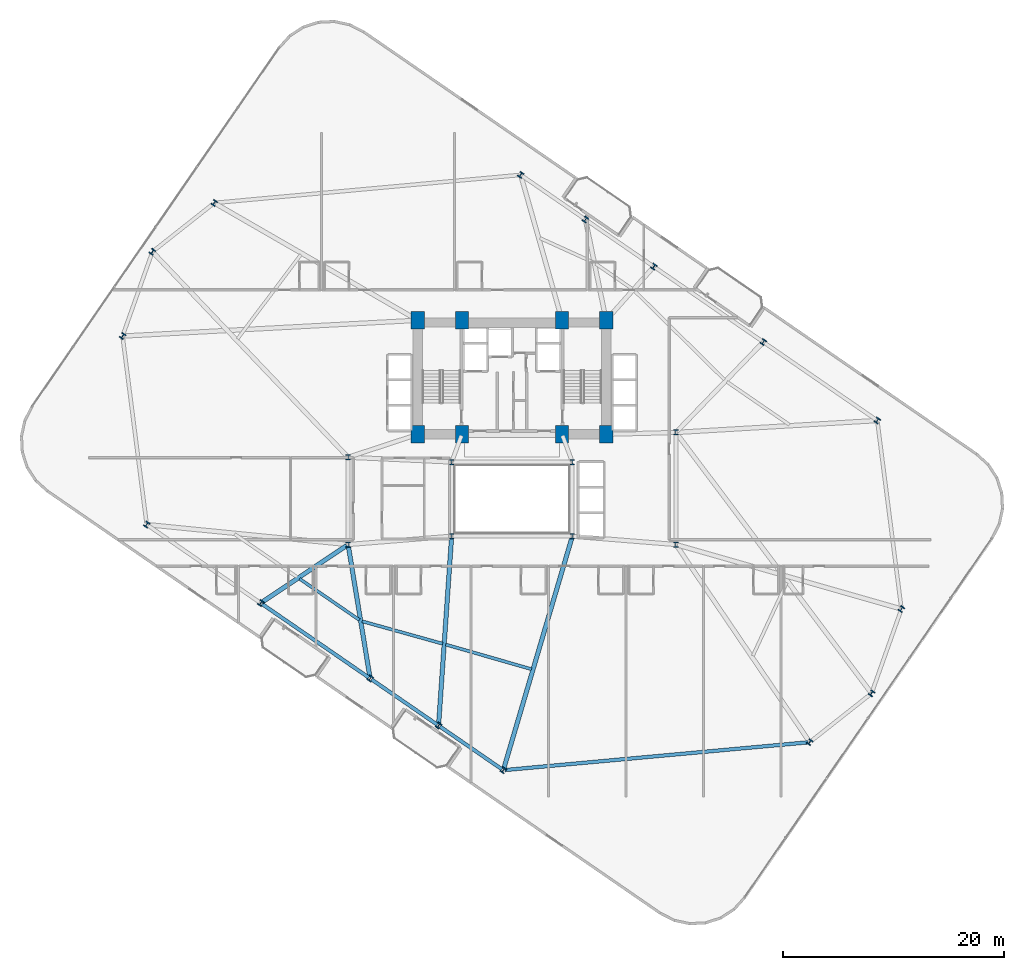
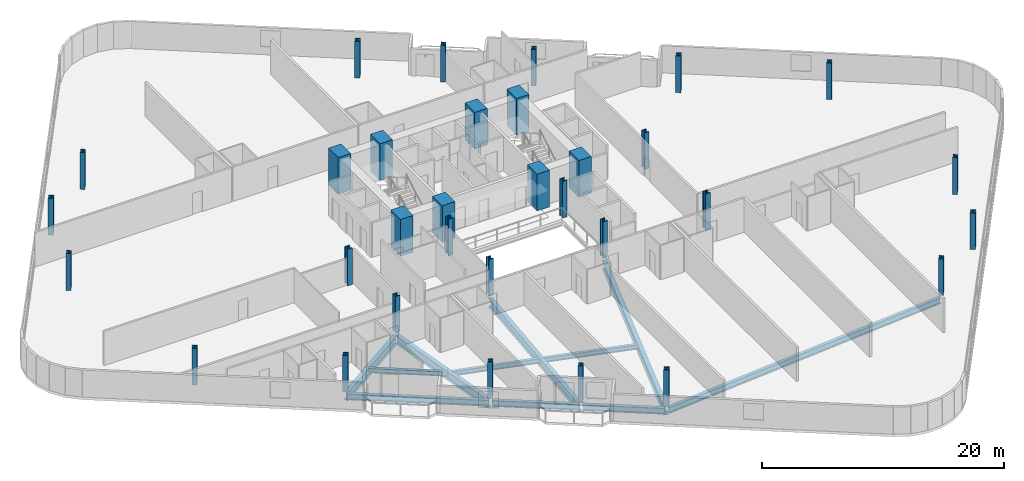
# One storey, part 1 of 25: 32 columns, 11 beams.
"""IFC4 building model written with IfcOpenShell, lengths in metres."""

import ifcopenshell
import ifcopenshell.guid

model = None  # the IFC model being written
_history = None  # IfcOwnerHistory: only IFC2X3 demands one
_inside = {}  # id of a spatial element -> (the spatial element, [elements in it])
_under = {}  # id of a project, library or spatial element -> (it, [spatial elements below it])
_declared = {}  # id of a project -> (the project, [libraries it declares])
_typed = {}  # id of a type object -> (the type object, [elements of that type])
_made_of = {}  # id of a material, layer set ... -> (it, [elements and type objects made of it])


def new_model(schema):
    """Start an empty IFC model of exactly this schema.

    Asked for "IFC4X3", IfcOpenShell would pick the latest addendum, in which some entities
    have other attributes; the version numbers below select the first issue.
    IFC2X3 requires an IfcOwnerHistory on every rooted entity: one is made here for all.
    """
    global model, _history
    if schema == "IFC4X3":
        model = ifcopenshell.file(schema_version=(4, 3, 0, 0))
    else:
        model = ifcopenshell.file(schema=schema)
    _inside.clear()
    _under.clear()
    _declared.clear()
    _typed.clear()
    _made_of.clear()
    _history = None
    if model.schema == "IFC2X3":
        org = make("IfcOrganization", Name="unknown")
        user = make(
            "IfcPersonAndOrganization",
            ThePerson=make("IfcPerson", FamilyName="unknown"),
            TheOrganization=org,
        )
        app = make(
            "IfcApplication",
            ApplicationDeveloper=org,
            Version="unknown",
            ApplicationFullName="unknown",
            ApplicationIdentifier="unknown",
        )
        _history = make(
            "IfcOwnerHistory",
            OwningUser=user,
            OwningApplication=app,
            ChangeAction="ADDED",
            CreationDate=0,
        )
    return model


def make(cls, **values):
    """One entity of the class cls with the attributes given. An attribute that is None is left unset."""
    return model.create_entity(
        cls, **{name: value for name, value in values.items() if value is not None}
    )


def rooted(cls, **values):
    """An entity with a GlobalId (a new one), such as an element, a storey or a relation."""
    return make(cls, GlobalId=ifcopenshell.guid.new(), OwnerHistory=_history, **values)


def si_unit(unit_type, name, prefix=None):
    """IfcSIUnit, for example si_unit("LENGTHUNIT", "METRE", prefix="MILLI")."""
    return make("IfcSIUnit", UnitType=unit_type, Prefix=prefix, Name=name)


def assignment(units):
    """IfcUnitAssignment: the units of a project."""
    return None if units is None else make("IfcUnitAssignment", Units=units)


def point(xyz):
    """IfcCartesianPoint."""
    return None if xyz is None else make("IfcCartesianPoint", Coordinates=xyz)


def direction(xyz):
    """IfcDirection."""
    return None if xyz is None else make("IfcDirection", DirectionRatios=xyz)


def frame(location, z_axis=None, x_axis=None):
    """IfcAxis2Placement3D, a coordinate frame: its origin and axes. An axis left out is left unset."""
    return make(
        "IfcAxis2Placement3D",
        Location=point(location),
        Axis=direction(z_axis),
        RefDirection=direction(x_axis),
    )


def frame_2d(location, x_axis=None):
    """IfcAxis2Placement2D, a coordinate frame in the plane: its origin and x axis."""
    return make(
        "IfcAxis2Placement2D", Location=point(location), RefDirection=direction(x_axis)
    )


def origin():
    """The frame at (0, 0, 0) with its axes left unset."""
    return frame((0.0, 0.0, 0.0))


def origin_2d():
    """The frame at (0, 0) in the plane with its x axis left unset."""
    return frame_2d((0.0, 0.0))


def place(relative_to, where):
    """IfcLocalPlacement: puts the frame where relative to a parent placement (None: the world)."""
    return make(
        "IfcLocalPlacement", PlacementRelTo=relative_to, RelativePlacement=where
    )


def context(
    kind, dimensions, precision=None, world=None, true_north=None, identifier=None
):
    """IfcGeometricRepresentationContext, for example the 3D "Model" context."""
    return make(
        "IfcGeometricRepresentationContext",
        ContextIdentifier=identifier,
        ContextType=kind,
        CoordinateSpaceDimension=dimensions,
        Precision=precision,
        WorldCoordinateSystem=world,
        TrueNorth=true_north,
    )


def subcontext(parent, identifier, kind, view, scale=None):
    """IfcGeometricRepresentationSubContext, for example "Body" below "Model"."""
    return make(
        "IfcGeometricRepresentationSubContext",
        ContextIdentifier=identifier,
        ContextType=kind,
        ParentContext=parent,
        TargetScale=scale,
        TargetView=view,
    )


def project(units=None, contexts=None):
    """IfcProject with its units and contexts."""
    return rooted(
        "IfcProject",
        Name="project",
        RepresentationContexts=contexts,
        UnitsInContext=assignment(units),
    )


def spatial(cls, under=None, at=None, **own):
    """A site, building, storey or space (cls), placed at a placement, below another one or the project."""
    s = rooted(cls, ObjectPlacement=at, **own)
    if under is not None:
        _under.setdefault(under.id(), (under, []))[1].append(s)
    return s


def profile(cls, at=None, kind="AREA", **sizes):
    """A parametric profile (cls). Its sizes go by their IFC names, for example OverallWidth=200.0."""
    return make(cls, ProfileType=kind, Position=at, **sizes)


def rectangle(**sizes):
    """IfcRectangleProfileDef."""
    return profile("IfcRectangleProfileDef", **sizes)


def i_section(**sizes):
    """IfcIShapeProfileDef."""
    return profile("IfcIShapeProfileDef", **sizes)


def extrude(swept, where, along, depth):
    """IfcExtrudedAreaSolid: the profile swept, set in the frame where, extruded along a direction by depth."""
    return make(
        "IfcExtrudedAreaSolid",
        SweptArea=swept,
        Position=where,
        ExtrudedDirection=direction(along),
        Depth=depth,
    )


def shape(context_of_items, identifier, shape_type, items):
    """IfcShapeRepresentation: the items that make up one representation, for example the "Body"."""
    return make(
        "IfcShapeRepresentation",
        ContextOfItems=context_of_items,
        RepresentationIdentifier=identifier,
        RepresentationType=shape_type,
        Items=items,
    )


def material(Name=None, Category=None):
    """IfcMaterial."""
    return make("IfcMaterial", Name=Name, Category=Category)


def material_profile(
    of_material, cross_section, Name=None, Category=None, Priority=None
):
    """IfcMaterialProfile: a cross section and its material."""
    return make(
        "IfcMaterialProfile",
        Name=Name,
        Material=of_material,
        Profile=cross_section,
        Priority=Priority,
        Category=Category,
    )


def profile_set(profiles, Name=None, composite=None):
    """IfcMaterialProfileSet."""
    return make(
        "IfcMaterialProfileSet",
        Name=Name,
        MaterialProfiles=profiles,
        CompositeProfile=composite,
    )


def made_of(thing, what):
    """Note that an element or type object is made of a material, layer set ...; save() writes the relation."""
    if what is not None:
        _made_of.setdefault(what.id(), (what, []))[1].append(thing)
    return thing


def type_object(cls, material=None, **own):
    """A type object (cls), such as IfcWallType, which elements share."""
    return made_of(rooted(cls, **own), material)


def element(
    cls,
    number,
    at=None,
    inside=None,
    cuts=None,
    type_object=None,
    material=None,
    context=None,
    identifier="Body",
    shape_type=None,
    held_by="IfcProductDefinitionShape",
    body=None,
    shapes=None,
    **own,
):
    """One element of the class cls, such as IfcWall. Its Tag is "e" and its number.

    at: its placement. inside: the storey or other place that contains it. cuts: it is an
    opening in that element (IfcRelVoidsElement). A single representation is given by context,
    identifier, shape_type and body (its items); several are given by shapes. held_by: the class
    of the entity that holds the representations. save() writes the other relations.
    """
    e = rooted(cls, Tag="e%d" % number, ObjectPlacement=at, **own)
    if body is not None:
        shapes = [shape(context, identifier, shape_type, body)]
    if shapes is not None:
        e.Representation = make(held_by, Representations=shapes)
    if inside is not None:
        _inside.setdefault(inside.id(), (inside, []))[1].append(e)
    if cuts is not None:
        rooted(
            "IfcRelVoidsElement", RelatingBuildingElement=cuts, RelatedOpeningElement=e
        )
    if type_object is not None:
        _typed.setdefault(type_object.id(), (type_object, []))[1].append(e)
    return made_of(e, material)


def aggregate(whole, parts):
    """IfcRelAggregates: a whole, such as a stair, and the parts it consists of."""
    return rooted("IfcRelAggregates", RelatingObject=whole, RelatedObjects=parts)


def save(model, path):
    """Write the relations noted so far, then the file.

    IfcRelAggregates (storeys below a building ...), IfcRelContainedInSpatialStructure (elements
    in a storey), IfcRelDefinesByType, IfcRelAssociatesMaterial and IfcRelDeclares: one each for
    every whole, place, type object, material and project.
    """
    for whole, parts in _under.values():
        aggregate(whole, parts)
    for where, things in _inside.values():
        rooted(
            "IfcRelContainedInSpatialStructure",
            RelatedElements=things,
            RelatingStructure=where,
        )
    for kind, things in _typed.values():
        rooted("IfcRelDefinesByType", RelatedObjects=things, RelatingType=kind)
    for what, things in _made_of.values():
        rooted("IfcRelAssociatesMaterial", RelatedObjects=things, RelatingMaterial=what)
    for by, libraries in _declared.values():
        rooted("IfcRelDeclares", RelatingContext=by, RelatedDefinitions=libraries)
    model.write(path)


model = new_model("IFC4")

# Units and contexts
model_context = context("Model", 3, precision=1e-05, world=origin(), true_north=direction((0.0, 1.0)))
body_context = subcontext(model_context, "Body", "Model", "MODEL_VIEW")
ifc_project = project(units=[si_unit("LENGTHUNIT", "METRE"), si_unit("AREAUNIT", "SQUARE_METRE"), si_unit("VOLUMEUNIT", "CUBIC_METRE"), si_unit("PLANEANGLEUNIT", "RADIAN"), si_unit("MASSUNIT", "GRAM", prefix="KILO")], contexts=[model_context])

# Site, building, storey
site_placement = place(None, origin())
site = spatial("IfcSite", under=ifc_project, at=site_placement, CompositionType="ELEMENT")
building_placement = place(site_placement, origin())
building = spatial("IfcBuilding", under=site, at=building_placement, Name="Varnelok Gate Tower", CompositionType="ELEMENT")
storey_placement = place(building_placement, frame((0.0, 0.0, 52.89990234375)))
storey = spatial("IfcBuildingStorey", under=building, at=storey_placement, Name="L12", CompositionType="ELEMENT", Elevation=52.89990234375)

# Columns
ifc_material_1 = material(Name="Concrete C70/85", Category="concrete")
ifc_material_profile_1 = material_profile(ifc_material_1, rectangle(XDim=1.199951171875, YDim=1.60009765625, at=origin_2d()), Name="RC1600X1200")
ifc_profile_set_1 = profile_set([ifc_material_profile_1], Name="Concrete C70/85")
column_type_1 = type_object("IfcColumnType", Name="COL-RC1600X1200", PredefinedType="COLUMN", material=ifc_profile_set_1)
for number, where, z_axis, x_axis, name in (
    (1, (30.699951171875, 28.75, 0.0), (0.0, 0.0, 1.0), (1.0, 0.0, 0.0), "L12 Core Spine Column SC1"),
    (2, (34.679931640625, 28.75, 0.0), (0.0, 0.0, 1.0), (1.0, 0.0, 0.0), "L12 Core Spine Column SC2"),
    (3, (43.719970703125, 28.75, 0.0), (0.0, 0.0, 1.0), (1.0, 0.0, 0.0), "L12 Core Spine Column SC3"),
    (4, (47.699951171875, 28.75, 0.0), (0.0, 0.0, 1.0), (1.0, 0.0, 0.0), "L12 Core Spine Column SC4"),
    (5, (30.699951171875, 39.050048828125, 0.0), (0.0, 0.0, 1.0), (1.0, 0.0, 0.0), "L12 Core Spine Column SC5"),
    (6, (34.679931640625, 39.050048828125, 0.0), (0.0, 0.0, 1.0), (1.0, 0.0, 0.0), "L12 Core Spine Column SC6"),
    (7, (43.719970703125, 39.050048828125, 0.0), (0.0, 0.0, 1.0), (1.0, 0.0, 0.0), "L12 Core Spine Column SC7"),
    (8, (47.699951171875, 39.050048828125, 0.0), (0.0, 0.0, 1.0), (1.0, 0.0, 0.0), "L12 Core Spine Column SC8"),
):
    element("IfcColumn", number, at=place(storey_placement, frame(where, z_axis=z_axis, x_axis=x_axis)), inside=storey, type_object=column_type_1, Name=name, PredefinedType="COLUMN", context=body_context, shape_type="SweptSolid", body=[
        extrude(rectangle(XDim=1.199951171875, YDim=1.60009765625, at=origin_2d()), origin(), (0.0, 0.0, 1.0), 3.7001953125),
    ])
ifc_material_2 = material(Name="Structural Steel ASTM A992 Grade 50", Category="steel")
ifc_material_profile_2 = material_profile(ifc_material_2, i_section(OverallWidth=0.431884765625, OverallDepth=0.498046875, WebThickness=0.0556640625, FlangeThickness=0.0888671875, FilletRadius=0.02490234375, at=origin_2d()), Name="W14X500")
ifc_profile_set_2 = profile_set([ifc_material_profile_2], Name="Structural Steel ASTM A992 Grade 50")
column_type_2 = type_object("IfcColumnType", Name="COL-W14X500", PredefinedType="COLUMN", material=ifc_profile_set_2)
for number, where, z_axis, x_axis, name in (
    (9, (33.75, 19.550048828125, 0.0), (0.0, 0.0, 1.0), (1.0, 0.0, 0.0), "L12 Atrium Spine Column AC1"),
    (10, (44.64990234375, 19.550048828125, 0.0), (0.0, 0.0, 1.0), (1.0, 0.0, 0.0), "L12 Atrium Spine Column AC2"),
    (11, (33.75, 26.25, 0.0), (0.0, 0.0, 1.0), (1.0, 0.0, 0.0), "L12 Atrium Spine Column AC3"),
    (12, (44.64990234375, 26.25, 0.0), (0.0, 0.0, 1.0), (1.0, 0.0, 0.0), "L12 Atrium Spine Column AC4"),
    (13, (24.39990234375, 18.800048828125, 0.0), (0.0, 0.0, 1.0), (1.0, 0.0, 0.0), "L12 Wing Spine Column WS1"),
    (14, (24.39990234375, 26.679931640625, 0.0), (0.0, 0.0, 1.0), (1.0, 0.0, 0.0), "L12 Wing Spine Column WS2"),
    (15, (54.0, 18.800048828125, 0.0), (0.0, 0.0, 1.0), (1.0, 0.0, 0.0), "L12 Wing Spine Column ES1"),
    (16, (54.0, 28.919921875, 0.0), (0.0, 0.0, 1.0), (1.0, 0.0, 0.0), "L12 Wing Spine Column ES2"),
    (17, (6.214599609375, 20.602783203125, 0.0), (0.0, 0.0, 1.0), (0.823532597628, -0.567268949127, 0.0), "L12 B1 Perimeter Column PC01"),
    (18, (16.5087890625, 13.511962890625, 0.0), (0.0, 0.0, 1.0), (0.823532597628, -0.567268949127, 0.0), "L12 B1 Perimeter Column PC02"),
    (19, (26.39111328125, 6.70458984375, 0.0), (0.0, 0.0, 1.0), (0.823532597628, -0.567268949127, 0.0), "L12 B1 Perimeter Column PC03"),
    (20, (32.567626953125, 2.4501953125, 0.0), (0.0, 0.0, 1.0), (0.823532597628, -0.567268949127, 0.0), "L12 B1 Perimeter Column PC04"),
    (21, (38.41455078125, -1.577392578125, 0.0), (0.0, 0.0, 1.0), (0.823532597628, -0.567268949127, 0.0), "L12 B1 Perimeter Column PC05"),
    (22, (66.084716796875, 0.95263671875, 0.0), (0.0, 0.0, 1.0), (0.823532597628, -0.567268949127, 0.0), "L12 B1 Perimeter Column PC06"),
    (23, (71.669921875, 5.362548828125, 0.0), (0.0, 0.0, 1.0), (0.823532597628, -0.567268949127, 0.0), "L12 B1 Perimeter Column PC07"),
    (24, (74.366943359375, 12.976318359375, 0.0), (0.0, 0.0, 1.0), (0.823532597628, -0.567268949127, 0.0), "L12 B1 Perimeter Column PC08"),
    (25, (72.185546875, 29.997314453125, 0.0), (0.0, 0.0, 1.0), (0.823532597628, -0.567268949127, 0.0), "L12 B1 Perimeter Column PC09"),
    (26, (61.891357421875, 37.088134765625, 0.0), (0.0, 0.0, 1.0), (0.823532597628, -0.567268949127, 0.0), "L12 B1 Perimeter Column PC10"),
    (27, (52.0087890625, 43.8955078125, 0.0), (0.0, 0.0, 1.0), (0.823532597628, -0.567268949127, 0.0), "L12 B1 Perimeter Column PC11"),
    (28, (45.83251953125, 48.14990234375, 0.0), (0.0, 0.0, 1.0), (0.823532597628, -0.567268949127, 0.0), "L12 B1 Perimeter Column PC12"),
    (29, (39.9853515625, 52.177490234375, 0.0), (0.0, 0.0, 1.0), (0.823532597628, -0.567268949127, 0.0), "L12 B1 Perimeter Column PC13"),
    (30, (12.315185546875, 49.6474609375, 0.0), (0.0, 0.0, 1.0), (0.823532597628, -0.567268949127, 0.0), "L12 B1 Perimeter Column PC14"),
    (31, (6.72998046875, 45.237548828125, 0.0), (0.0, 0.0, 1.0), (0.823532597628, -0.567268949127, 0.0), "L12 B1 Perimeter Column PC15"),
    (32, (4.033203125, 37.623779296875, 0.0), (0.0, 0.0, 1.0), (0.823532597628, -0.567268949127, 0.0), "L12 B1 Perimeter Column PC16"),
):
    element("IfcColumn", number, at=place(storey_placement, frame(where, z_axis=z_axis, x_axis=x_axis)), inside=storey, type_object=column_type_2, Name=name, PredefinedType="COLUMN", context=body_context, shape_type="SweptSolid", body=[
        extrude(i_section(OverallWidth=0.431884765625, OverallDepth=0.498046875, WebThickness=0.0556640625, FlangeThickness=0.0888671875, FilletRadius=0.02490234375, at=origin_2d()), origin(), (0.0, 0.0, 1.0), 3.7001953125),
    ])

# Beams
ifc_material_profile_3 = material_profile(ifc_material_2, i_section(OverallWidth=0.280029296875, OverallDepth=0.462890625, WebThickness=0.0107421875, FlangeThickness=0.017333984375, FilletRadius=0.014892578125, at=origin_2d()), Name="W18X76")
ifc_profile_set_3 = profile_set([ifc_material_profile_3], Name="Structural Steel ASTM A992 Grade 50")
beam_type_1 = type_object("IfcBeamType", Name="BM-JST-W18X76", PredefinedType="JOIST", material=ifc_profile_set_3)
beam_1_placement = place(storey_placement, frame((20.017333984375, 15.706298828125, -0.4814453125), z_axis=(0.823537737391, -0.567261487405, 0.0), x_axis=(0.567261487405, 0.823537737391, 0.0)))
element("IfcBeam", 33, at=beam_1_placement, inside=storey, type_object=beam_type_1, Name="L12 Sector Floor Joist 2", PredefinedType="JOIST", context=body_context, shape_type="SweptSolid", body=[
    extrude(i_section(OverallWidth=0.280029296875, OverallDepth=0.462890625, WebThickness=0.0107421875, FlangeThickness=0.017333984375, FilletRadius=0.014892578125, at=origin_2d()), origin(), (0.0, 0.0, 1.0), 6.559814453125),
])
beam_2_placement = place(storey_placement, frame((25.669921875, 11.867919921875, -0.4814453125), z_axis=(0.963267736432, -0.268542860544, 0.0), x_axis=(0.268542860544, 0.963267736432, 0.0)))
element("IfcBeam", 34, at=beam_2_placement, inside=storey, type_object=beam_type_1, Name="L12 Sector Floor Joist 3", PredefinedType="JOIST", context=body_context, shape_type="SweptSolid", body=[
    extrude(i_section(OverallWidth=0.280029296875, OverallDepth=0.462890625, WebThickness=0.0107421875, FlangeThickness=0.017333984375, FilletRadius=0.014892578125, at=origin_2d()), origin(), (0.0, 0.0, 1.0), 7.548583984375),
])
beam_3_placement = place(storey_placement, frame((33.210693359375, 9.764404296875, -0.4814453125), z_axis=(0.961390127842, -0.275189066078, 0.0), x_axis=(0.275189066078, 0.961390127842, 0.0)))
element("IfcBeam", 35, at=beam_3_placement, inside=storey, type_object=beam_type_1, Name="L12 Sector Floor Joist 4", PredefinedType="JOIST", context=body_context, shape_type="SweptSolid", body=[
    extrude(i_section(OverallWidth=0.280029296875, OverallDepth=0.462890625, WebThickness=0.0107421875, FlangeThickness=0.017333984375, FilletRadius=0.014892578125, at=origin_2d()), origin(), (0.0, 0.0, 1.0), 8.061767578125),
])
ifc_material_profile_4 = material_profile(ifc_material_2, i_section(OverallWidth=0.39892578125, OverallDepth=0.85498046875, WebThickness=0.018310546875, FlangeThickness=0.029296875, FilletRadius=0.02392578125, at=origin_2d()), Name="W33X201")
ifc_profile_set_4 = profile_set([ifc_material_profile_4], Name="Structural Steel ASTM A992 Grade 50")
beam_type_2 = type_object("IfcBeamType", Name="BM-PRI-W33X201", PredefinedType="BEAM", material=ifc_profile_set_4)
beam_4_placement = place(storey_placement, frame((24.275390625, 18.716552734375, -0.677490234375), z_axis=(-0.830725059098, -0.556682922485, 0.0), x_axis=(0.556682922485, -0.830725059098, 0.0)))
element("IfcBeam", 36, at=beam_4_placement, inside=storey, type_object=beam_type_2, Name="L12 Radial Floor Girder 2", PredefinedType="BEAM", context=body_context, shape_type="SweptSolid", body=[
    extrude(i_section(OverallWidth=0.39892578125, OverallDepth=0.85498046875, WebThickness=0.018310546875, FlangeThickness=0.029296875, FilletRadius=0.02392578125, at=origin_2d()), origin(), (0.0, 0.0, 1.0), 9.19921875),
])
beam_5_placement = place(storey_placement, frame((24.42431640625, 18.652099609375, -0.677490234375), z_axis=(0.162428802214, -0.986720266444, 0.0), x_axis=(0.986720266444, 0.162428802214, 0.0)))
element("IfcBeam", 37, at=beam_5_placement, inside=storey, type_object=beam_type_2, Name="L12 Radial Floor Girder 3", PredefinedType="BEAM", context=body_context, shape_type="SweptSolid", body=[
    extrude(i_section(OverallWidth=0.39892578125, OverallDepth=0.85498046875, WebThickness=0.018310546875, FlangeThickness=0.029296875, FilletRadius=0.02392578125, at=origin_2d()), origin(), (0.0, 0.0, 1.0), 11.958251953125),
])
beam_6_placement = place(storey_placement, frame((33.73974609375, 19.400390625, -0.677490234375), z_axis=(-0.068990652765, -0.997617306301, 0.0), x_axis=(0.997617306301, -0.068990652765, 0.0)))
element("IfcBeam", 38, at=beam_6_placement, inside=storey, type_object=beam_type_2, Name="L12 Radial Floor Girder 4", PredefinedType="BEAM", context=body_context, shape_type="SweptSolid", body=[
    extrude(i_section(OverallWidth=0.39892578125, OverallDepth=0.85498046875, WebThickness=0.018310546875, FlangeThickness=0.029296875, FilletRadius=0.02392578125, at=origin_2d()), origin(), (0.0, 0.0, 1.0), 16.8408203125),
])
beam_7_placement = place(storey_placement, frame((44.607421875, 19.406005859375, -0.677490234375), z_axis=(-0.283059829362, -0.959102253673, 0.0), x_axis=(0.959102253673, -0.283059829362, 0.0)))
element("IfcBeam", 39, at=beam_7_placement, inside=storey, type_object=beam_type_2, Name="L12 Radial Floor Girder 5", PredefinedType="BEAM", context=body_context, shape_type="SweptSolid", body=[
    extrude(i_section(OverallWidth=0.39892578125, OverallDepth=0.85498046875, WebThickness=0.018310546875, FlangeThickness=0.029296875, FilletRadius=0.02392578125, at=origin_2d()), origin(), (0.0, 0.0, 1.0), 21.728271484375),
])
ifc_material_profile_5 = material_profile(ifc_material_2, i_section(OverallWidth=0.323974609375, OverallDepth=0.611083984375, WebThickness=0.0126953125, FlangeThickness=0.01904296875, FilletRadius=0.01806640625, at=origin_2d()), Name="W24X104")
ifc_profile_set_5 = profile_set([ifc_material_profile_5], Name="Structural Steel ASTM A992 Grade 50")
beam_type_3 = type_object("IfcBeamType", Name="BM-SPN-W24X104", PredefinedType="SPANDREL", material=ifc_profile_set_5)
beam_8_placement = place(storey_placement, frame((16.632080078125, 13.4267578125, -0.555419921875), z_axis=(0.823540527698, -0.567257436478, 0.0), x_axis=(0.567257436478, 0.823540527698, 0.0)))
element("IfcBeam", 40, at=beam_8_placement, inside=storey, type_object=beam_type_3, Name="L12 Perimeter Spandrel Beam 2", PredefinedType="SPANDREL", context=body_context, shape_type="SweptSolid", body=[
    extrude(i_section(OverallWidth=0.323974609375, OverallDepth=0.611083984375, WebThickness=0.0126953125, FlangeThickness=0.01904296875, FilletRadius=0.01806640625, at=origin_2d()), origin(), (0.0, 0.0, 1.0), 11.7001953125),
])
beam_9_placement = place(storey_placement, frame((26.5146484375, 6.619384765625, -0.555419921875), z_axis=(0.823539986654, -0.56725822196, 0.0), x_axis=(0.56725822196, 0.823539986654, 0.0)))
element("IfcBeam", 41, at=beam_9_placement, inside=storey, type_object=beam_type_3, Name="L12 Perimeter Spandrel Beam 3", PredefinedType="SPANDREL", context=body_context, shape_type="SweptSolid", body=[
    extrude(i_section(OverallWidth=0.323974609375, OverallDepth=0.611083984375, WebThickness=0.0126953125, FlangeThickness=0.01904296875, FilletRadius=0.01806640625, at=origin_2d()), origin(), (0.0, 0.0, 1.0), 7.199951171875),
])
beam_10_placement = place(storey_placement, frame((32.691162109375, 2.364990234375, -0.555419921875), z_axis=(0.823525119645, -0.567279805135, 0.0), x_axis=(0.567279805135, 0.823525119645, 0.0)))
element("IfcBeam", 42, at=beam_10_placement, inside=storey, type_object=beam_type_3, Name="L12 Perimeter Spandrel Beam 4", PredefinedType="SPANDREL", context=body_context, shape_type="SweptSolid", body=[
    extrude(i_section(OverallWidth=0.323974609375, OverallDepth=0.611083984375, WebThickness=0.0126953125, FlangeThickness=0.01904296875, FilletRadius=0.01806640625, at=origin_2d()), origin(), (0.0, 0.0, 1.0), 6.7998046875),
])
beam_11_placement = place(storey_placement, frame((38.56396484375, -1.563720703125, -0.555419921875), z_axis=(0.995845891963, 0.091054705864, 0.0), x_axis=(-0.091054705864, 0.995845891963, 0.0)))
element("IfcBeam", 43, at=beam_11_placement, inside=storey, type_object=beam_type_3, Name="L12 Perimeter Spandrel Beam 5", PredefinedType="SPANDREL", context=body_context, shape_type="SweptSolid", body=[
    extrude(i_section(OverallWidth=0.323974609375, OverallDepth=0.611083984375, WebThickness=0.0126953125, FlangeThickness=0.01904296875, FilletRadius=0.01806640625, at=origin_2d()), origin(), (0.0, 0.0, 1.0), 27.485595703125),
])

save(model, "model.ifc")
